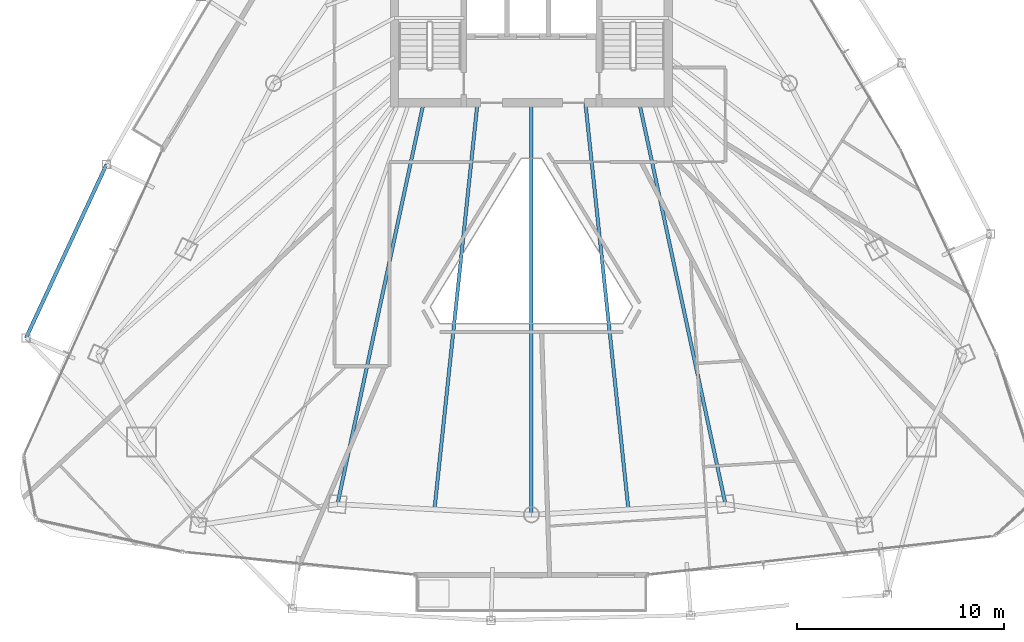
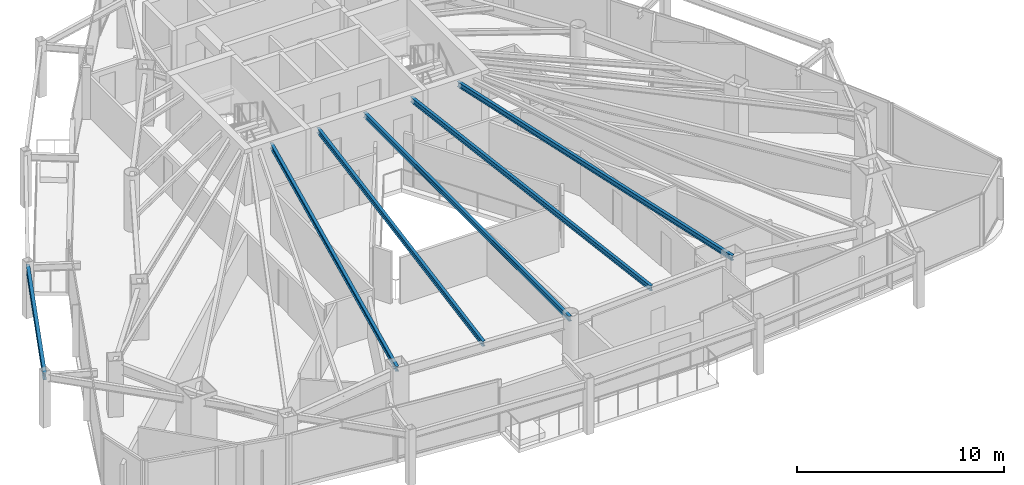
# One storey, part 9 of 29: 6 beams.
"""IFC4 building model written with IfcOpenShell, lengths in metres."""

from ifc_helpers import new_model, si_unit, direction, frame, origin, origin_2d, place, context, subcontext, project, spatial, i_section, extrude, material, material_profile, profile_set, type_object, element, save


model = new_model("IFC4")

# Units and contexts
model_context = context("Model", 3, precision=1e-05, world=origin(), true_north=direction((0.0, 1.0)))
body_context = subcontext(model_context, "Body", "Model", "MODEL_VIEW")
ifc_project = project(units=[si_unit("LENGTHUNIT", "METRE"), si_unit("AREAUNIT", "SQUARE_METRE"), si_unit("VOLUMEUNIT", "CUBIC_METRE"), si_unit("PLANEANGLEUNIT", "RADIAN"), si_unit("MASSUNIT", "GRAM", prefix="KILO")], contexts=[model_context])

# Site, building, storey
site_placement = place(None, origin())
site = spatial("IfcSite", under=ifc_project, at=site_placement, CompositionType="ELEMENT")
building_placement = place(site_placement, origin())
building = spatial("IfcBuilding", under=site, at=building_placement, Name="Orvanel Arch Residences", CompositionType="ELEMENT")
storey_placement = place(building_placement, frame((0.0, 0.0, 170.449951171875)))
storey = spatial("IfcBuildingStorey", under=building, at=storey_placement, Name="L48", CompositionType="ELEMENT", Elevation=170.449951171875)

# Beams
ifc_material = material(Name="Structural steel AS/NZS 3679.1 Grade 300 (300 MPa)", Category="steel")
ifc_material_profile_1 = material_profile(ifc_material, i_section(OverallWidth=0.1650390625, OverallDepth=0.303955078125, WebThickness=0.006103515625, FlangeThickness=0.01025390625, at=origin_2d()), Name="310UB40.4")
ifc_profile_set_1 = profile_set([ifc_material_profile_1], Name="Structural steel AS/NZS 3679.1 Grade 300 (300 MPa)")
beam_type_1 = type_object("IfcBeamType", Name="BJ-310UB", PredefinedType="JOIST", material=ifc_profile_set_1)
for number, where, z_axis, x_axis, name in (
    (1, (27.800048828125, 26.699951171875, 2.907958984375), (-0.209808012425, -0.977742603103, 0.0), (0.977742603103, -0.209808012425, 0.0), "L48 SW Wing Floor Joist"),
    (2, (38.199951171875, 26.699951171875, 2.907958984375), (0.209808012425, -0.977742603103, 0.0), (0.977742603103, 0.209808012425, 0.0), "L48 SE Wing Floor Joist"),
):
    element("IfcBeam", number, at=place(storey_placement, frame(where, z_axis=z_axis, x_axis=x_axis)), inside=storey, type_object=beam_type_1, Name=name, PredefinedType="JOIST", context=body_context, shape_type="SweptSolid", body=[
        extrude(i_section(OverallWidth=0.1650390625, OverallDepth=0.303955078125, WebThickness=0.006103515625, FlangeThickness=0.01025390625, at=origin_2d()), origin(), (0.0, 0.0, 1.0), 19.785400390625),
    ])
beam_1_placement = place(storey_placement, frame((33.0, 26.699951171875, 2.907958984375), z_axis=(0.0, -1.0, 0.0), x_axis=(1.0, 0.0, 0.0)))
element("IfcBeam", 3, at=beam_1_placement, inside=storey, type_object=beam_type_1, Name="L48 SSW Wing Floor Joist", PredefinedType="JOIST", context=body_context, shape_type="SweptSolid", body=[
    extrude(i_section(OverallWidth=0.1650390625, OverallDepth=0.303955078125, WebThickness=0.006103515625, FlangeThickness=0.01025390625, at=origin_2d()), origin(), (0.0, 0.0, 1.0), 19.85595703125),
])
for number, where, z_axis, x_axis, name in (
    (4, (30.39990234375, 26.699951171875, 2.907958984375), (-0.105277340935, -0.994442900063, 0.0), (0.994442900063, -0.105277340935, 0.0), "L48 WSW2 Wing Floor Joist"),
    (5, (35.60009765625, 26.699951171875, 2.907958984375), (0.105277340935, -0.994442900063, 0.0), (0.994442900063, 0.105277340935, 0.0), "L48 ESE2 Wing Floor Joist"),
):
    element("IfcBeam", number, at=place(storey_placement, frame(where, z_axis=z_axis, x_axis=x_axis)), inside=storey, type_object=beam_type_1, Name=name, PredefinedType="JOIST", context=body_context, shape_type="SweptSolid", body=[
        extrude(i_section(OverallWidth=0.1650390625, OverallDepth=0.303955078125, WebThickness=0.006103515625, FlangeThickness=0.01025390625, at=origin_2d()), origin(), (0.0, 0.0, 1.0), 19.70947265625),
    ])
ifc_material_profile_2 = material_profile(ifc_material, i_section(OverallWidth=0.177978515625, OverallDepth=0.406005859375, WebThickness=0.0078125, FlangeThickness=0.0126953125, at=origin_2d()), Name="410UB59.7")
ifc_profile_set_2 = profile_set([ifc_material_profile_2], Name="Structural steel AS/NZS 3679.1 Grade 300 (300 MPa)")
beam_type_2 = type_object("IfcBeamType", Name="OB-410UB-EXT", PredefinedType="SPANDREL", material=ifc_profile_set_2)
beam_2_placement = place(storey_placement, frame((12.514892578125, 23.72802734375, 2.85693359375), z_axis=(-0.420856274406, -0.907127331907, 0.0), x_axis=(0.907127331907, -0.420856274406, 0.0)))
element("IfcBeam", 6, at=beam_2_placement, inside=storey, type_object=beam_type_2, Name="L48 Outer Perimeter Floor Ring Beam 03", PredefinedType="SPANDREL", context=body_context, shape_type="SweptSolid", body=[
    extrude(i_section(OverallWidth=0.177978515625, OverallDepth=0.406005859375, WebThickness=0.0078125, FlangeThickness=0.0126953125, at=origin_2d()), origin(), (0.0, 0.0, 1.0), 9.22607421875),
])

save(model, "model.ifc")
